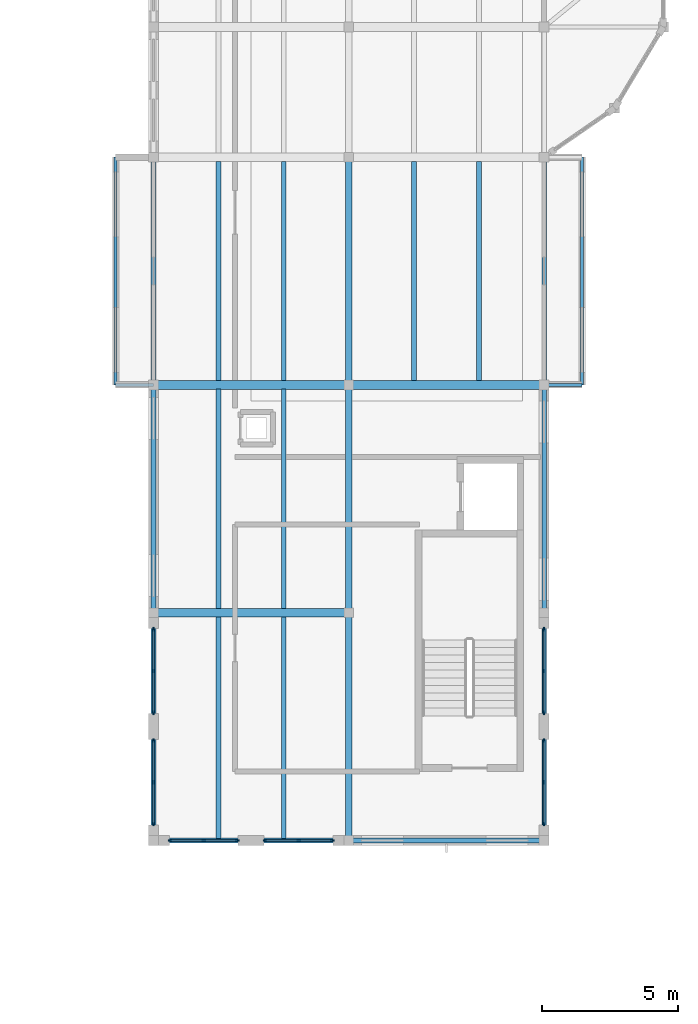
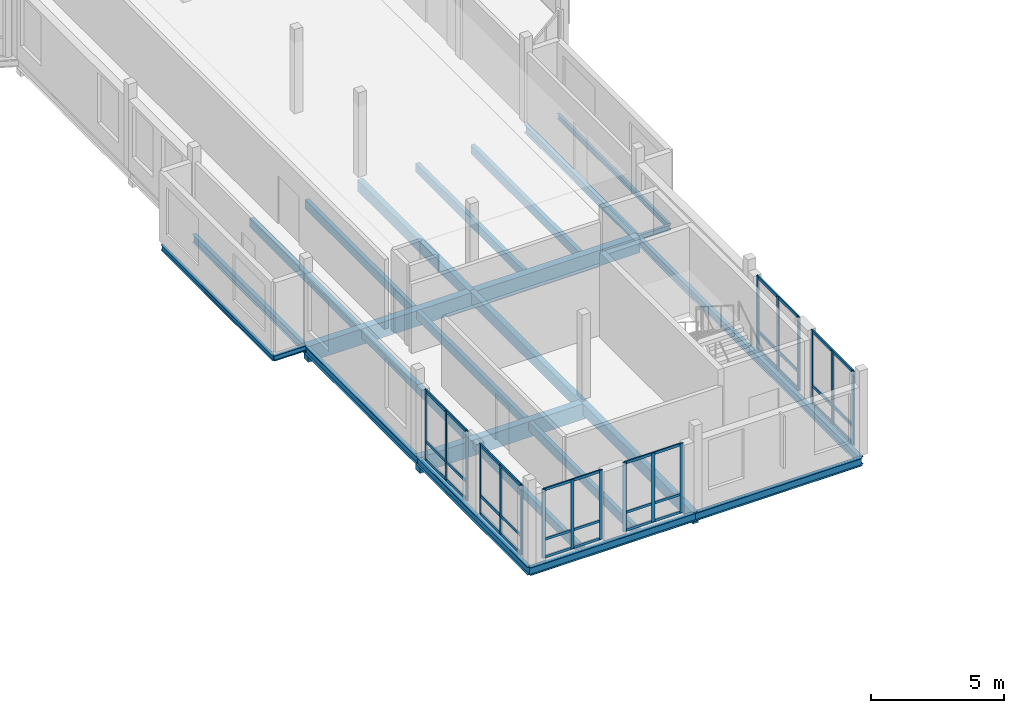
# One storey, part 14 of 57: 36 members, 26 beams, 6 elements without a shape of their own.
"""IFC4 building model written with IfcOpenShell, lengths in metres."""

from ifc_helpers import new_model, si_unit, direction, frame, origin, origin_2d, place, context, subcontext, project, spatial, rectangle, i_section, extrude, material, material_profile, profile_set, type_object, element, aggregate, save


model = new_model("IFC4")

# Units and contexts
model_context = context("Model", 3, precision=1e-05, world=origin(), true_north=direction((0.0, 1.0)))
body_context = subcontext(model_context, "Body", "Model", "MODEL_VIEW")
ifc_project = project(units=[si_unit("LENGTHUNIT", "METRE"), si_unit("AREAUNIT", "SQUARE_METRE"), si_unit("VOLUMEUNIT", "CUBIC_METRE"), si_unit("PLANEANGLEUNIT", "RADIAN"), si_unit("MASSUNIT", "GRAM", prefix="KILO")], contexts=[model_context])

# Site, building, storey
site_placement = place(None, origin())
site = spatial("IfcSite", under=ifc_project, at=site_placement, CompositionType="ELEMENT")
building_placement = place(site_placement, origin())
building = spatial("IfcBuilding", under=site, at=building_placement, Name="Kahlenmark Community Centre", CompositionType="ELEMENT")
storey_placement = place(building_placement, frame((0.0, 0.0, 13.800048828125)))
storey = spatial("IfcBuildingStorey", under=building, at=storey_placement, Name="L03", CompositionType="ELEMENT", Elevation=13.800048828125)

# Beams
ifc_material_1 = material(Name="Glulam GL32h", Category="wood")
ifc_material_profile_1 = material_profile(ifc_material_1, rectangle(XDim=0.239990234375, YDim=0.52001953125, at=origin_2d()), Name="GL32h 240x520")
ifc_profile_set_1 = profile_set([ifc_material_profile_1], Name="Glulam GL32h")
beam_type_1 = type_object("IfcBeamType", Name="BT-BEAM-GL32h240x520", PredefinedType="BEAM", material=ifc_profile_set_1)
beam_1_placement = place(storey_placement, frame((79.60009765625, 50.800048828125, -0.4599609375), z_axis=(0.0, 1.0, 0.0), x_axis=(-1.0, 0.0, 0.0)))
element("IfcBeam", 1, at=beam_1_placement, inside=storey, type_object=beam_type_1, Name="L03 beam BG-GL32h240x520", PredefinedType="BEAM", context=body_context, shape_type="SweptSolid", body=[
    extrude(rectangle(XDim=0.239990234375, YDim=0.52001953125, at=origin_2d()), origin(), (0.0, 0.0, 1.0), 8.39990234375),
])
beam_2_placement = place(storey_placement, frame((79.60009765625, 59.199951171875, -0.4599609375), z_axis=(0.0, 1.0, 0.0), x_axis=(-1.0, 0.0, 0.0)))
element("IfcBeam", 2, at=beam_2_placement, inside=storey, type_object=beam_type_1, Name="L03 beam BG-GL32h240x520", PredefinedType="BEAM", context=body_context, shape_type="SweptSolid", body=[
    extrude(rectangle(XDim=0.239990234375, YDim=0.52001953125, at=origin_2d()), origin(), (0.0, 0.0, 1.0), 8.400146484375),
])
beam_3_placement = place(storey_placement, frame((79.60009765625, 67.60009765625, -0.4599609375), z_axis=(0.0, 1.0, 0.0), x_axis=(-1.0, 0.0, 0.0)))
element("IfcBeam", 3, at=beam_3_placement, inside=storey, type_object=beam_type_1, Name="L03 beam BG-GL32h240x520", PredefinedType="BEAM", context=body_context, shape_type="SweptSolid", body=[
    extrude(rectangle(XDim=0.239990234375, YDim=0.52001953125, at=origin_2d()), origin(), (0.0, 0.0, 1.0), 8.39990234375),
])
ifc_material_profile_2 = material_profile(ifc_material_1, rectangle(XDim=0.320068359375, YDim=0.719970703125, at=origin_2d()), Name="GL32h 320x720")
ifc_profile_set_2 = profile_set([ifc_material_profile_2], Name="Glulam GL32h")
beam_type_2 = type_object("IfcBeamType", Name="BT-BEAM-GL32h320x720", PredefinedType="BEAM", material=ifc_profile_set_2)
for number, where, z_axis, x_axis, name in (
    (4, (72.39990234375, 59.199951171875, -0.56005859375), (1.0, 0.0, 0.0), (0.0, 1.0, 0.0), "L03 beam BG-GL32h320x720"),
    (5, (72.39990234375, 67.60009765625, -0.56005859375), (1.0, 0.0, 0.0), (0.0, 1.0, 0.0), "L03 beam BG-GL32h320x720"),
):
    element("IfcBeam", number, at=place(storey_placement, frame(where, z_axis=z_axis, x_axis=x_axis)), inside=storey, type_object=beam_type_2, Name=name, PredefinedType="BEAM", context=body_context, shape_type="SweptSolid", body=[
        extrude(rectangle(XDim=0.320068359375, YDim=0.719970703125, at=origin_2d()), origin(), (0.0, 0.0, 1.0), 7.2001953125),
    ])
beam_4_placement = place(storey_placement, frame((79.60009765625, 67.60009765625, -0.56005859375), z_axis=(1.0, 0.0, 0.0), x_axis=(0.0, 1.0, 0.0)))
element("IfcBeam", 6, at=beam_4_placement, inside=storey, type_object=beam_type_2, Name="L03 beam BG-GL32h320x720", PredefinedType="BEAM", context=body_context, shape_type="SweptSolid", body=[
    extrude(rectangle(XDim=0.320068359375, YDim=0.719970703125, at=origin_2d()), origin(), (0.0, 0.0, 1.0), 7.199951171875),
])
ifc_material_2 = material(Name="Steel S355", Category="steel")
ifc_material_profile_3 = material_profile(ifc_material_2, i_section(OverallWidth=0.1201171875, OverallDepth=0.239990234375, WebThickness=0.006103515625, FlangeThickness=0.009765625, at=origin_2d()), Name="IPE 240")
ifc_profile_set_3 = profile_set([ifc_material_profile_3], Name="Steel S355")
beam_type_3 = type_object("IfcBeamType", Name="BT-BEAM-IPE240", PredefinedType="BEAM", material=ifc_profile_set_3)
for number, where, z_axis, x_axis, name in (
    (7, (86.800048828125, 67.60009765625, -0.320068359375), (1.0, 0.0, 0.0), (0.0, 1.0, 0.0), "L03 beam BG-IPE240"),
    (8, (71.0, 67.60009765625, -0.320068359375), (1.0, 0.0, 0.0), (0.0, 1.0, 0.0), "L03 beam BG-IPE240"),
):
    element("IfcBeam", number, at=place(storey_placement, frame(where, z_axis=z_axis, x_axis=x_axis)), inside=storey, type_object=beam_type_3, Name=name, PredefinedType="BEAM", context=body_context, shape_type="SweptSolid", body=[
        extrude(i_section(OverallWidth=0.1201171875, OverallDepth=0.239990234375, WebThickness=0.006103515625, FlangeThickness=0.009765625, at=origin_2d()), origin(), (0.0, 0.0, 1.0), 1.39990234375),
    ])
ifc_material_3 = material(Name="Glulam GL28h", Category="wood")
ifc_material_profile_4 = material_profile(ifc_material_3, rectangle(XDim=0.179931640625, YDim=0.39990234375, at=origin_2d()), Name="GL28h 180x400")
ifc_profile_set_4 = profile_set([ifc_material_profile_4], Name="Glulam GL28h")
beam_type_4 = type_object("IfcBeamType", Name="BT-JOIST-GL28h180x400", PredefinedType="JOIST", material=ifc_profile_set_4)
for number, where, z_axis, x_axis, name in (
    (9, (74.800048828125, 50.883056640625, -0.400146484375), (0.0, 1.0, 0.0), (-1.0, 0.0, 0.0), "L03 joist BJ-GL28h180x400"),
    (10, (77.199951171875, 50.883056640625, -0.400146484375), (0.0, 1.0, 0.0), (-1.0, 0.0, 0.0), "L03 joist BJ-GL28h180x400"),
):
    element("IfcBeam", number, at=place(storey_placement, frame(where, z_axis=z_axis, x_axis=x_axis)), inside=storey, type_object=beam_type_4, Name=name, PredefinedType="JOIST", context=body_context, shape_type="SweptSolid", body=[
        extrude(rectangle(XDim=0.179931640625, YDim=0.39990234375, at=origin_2d()), origin(), (0.0, 0.0, 1.0), 8.158935546875),
    ])
for number, where, z_axis, x_axis, name in (
    (11, (74.800048828125, 59.35791015625, -0.400146484375), (0.0, 1.0, 0.0), (-1.0, 0.0, 0.0), "L03 joist BJ-GL28h180x400"),
    (12, (77.199951171875, 59.35791015625, -0.400146484375), (0.0, 1.0, 0.0), (-1.0, 0.0, 0.0), "L03 joist BJ-GL28h180x400"),
    (13, (74.800048828125, 67.758056640625, -0.400146484375), (0.0, 1.0, 0.0), (-1.0, 0.0, 0.0), "L03 joist BJ-GL28h180x400"),
    (14, (77.199951171875, 67.758056640625, -0.400146484375), (0.0, 1.0, 0.0), (-1.0, 0.0, 0.0), "L03 joist BJ-GL28h180x400"),
    (15, (82.0, 67.758056640625, -0.400146484375), (0.0, 1.0, 0.0), (-1.0, 0.0, 0.0), "L03 joist BJ-GL28h180x400"),
    (16, (84.39990234375, 67.758056640625, -0.400146484375), (0.0, 1.0, 0.0), (-1.0, 0.0, 0.0), "L03 joist BJ-GL28h180x400"),
):
    element("IfcBeam", number, at=place(storey_placement, frame(where, z_axis=z_axis, x_axis=x_axis)), inside=storey, type_object=beam_type_4, Name=name, PredefinedType="JOIST", context=body_context, shape_type="SweptSolid", body=[
        extrude(rectangle(XDim=0.179931640625, YDim=0.39990234375, at=origin_2d()), origin(), (0.0, 0.0, 1.0), 8.083984375),
    ])
ifc_material_profile_5 = material_profile(ifc_material_2, i_section(OverallWidth=0.1201171875, OverallDepth=0.239990234375, WebThickness=0.006103515625, FlangeThickness=0.009765625, at=origin_2d()), Name="IPE 240")
ifc_profile_set_5 = profile_set([ifc_material_profile_5], Name="Steel S355")
beam_type_5 = type_object("IfcBeamType", Name="BT-SPANDREL-IPE240", PredefinedType="SPANDREL", material=ifc_profile_set_5)
for number, where, z_axis, x_axis, name in (
    (17, (88.199951171875, 67.60009765625, -0.320068359375), (0.0, 1.0, 0.0), (-1.0, 0.0, 0.0), "L03 spandrel SP-IPE240"),
    (18, (71.0, 67.60009765625, -0.320068359375), (0.0, 1.0, 0.0), (-1.0, 0.0, 0.0), "L03 spandrel SP-IPE240"),
):
    element("IfcBeam", number, at=place(storey_placement, frame(where, z_axis=z_axis, x_axis=x_axis)), inside=storey, type_object=beam_type_5, Name=name, PredefinedType="SPANDREL", context=body_context, shape_type="SweptSolid", body=[
        extrude(i_section(OverallWidth=0.1201171875, OverallDepth=0.239990234375, WebThickness=0.006103515625, FlangeThickness=0.009765625, at=origin_2d()), origin(), (0.0, 0.0, 1.0), 8.39990234375),
    ])
ifc_material_profile_6 = material_profile(ifc_material_2, i_section(OverallWidth=0.169921875, OverallDepth=0.360107421875, WebThickness=0.008056640625, FlangeThickness=0.0126953125, at=origin_2d()), Name="IPE 360")
ifc_profile_set_6 = profile_set([ifc_material_profile_6], Name="Steel S355")
beam_type_6 = type_object("IfcBeamType", Name="BT-SPANDREL-IPE360", PredefinedType="SPANDREL", material=ifc_profile_set_6)
beam_5_placement = place(storey_placement, frame((72.39990234375, 50.800048828125, -0.380126953125), z_axis=(1.0, 0.0, 0.0), x_axis=(0.0, 1.0, 0.0)))
element("IfcBeam", 19, at=beam_5_placement, inside=storey, type_object=beam_type_6, Name="L03 spandrel SP-IPE360", PredefinedType="SPANDREL", context=body_context, shape_type="SweptSolid", body=[
    extrude(i_section(OverallWidth=0.169921875, OverallDepth=0.360107421875, WebThickness=0.008056640625, FlangeThickness=0.0126953125, at=origin_2d()), origin(), (0.0, 0.0, 1.0), 7.2001953125),
])
beam_6_placement = place(storey_placement, frame((79.60009765625, 50.800048828125, -0.380126953125), z_axis=(1.0, 0.0, 0.0), x_axis=(0.0, 1.0, 0.0)))
element("IfcBeam", 20, at=beam_6_placement, inside=storey, type_object=beam_type_6, Name="L03 spandrel SP-IPE360", PredefinedType="SPANDREL", context=body_context, shape_type="SweptSolid", body=[
    extrude(i_section(OverallWidth=0.169921875, OverallDepth=0.360107421875, WebThickness=0.008056640625, FlangeThickness=0.0126953125, at=origin_2d()), origin(), (0.0, 0.0, 1.0), 7.199951171875),
])
beam_7_placement = place(storey_placement, frame((72.39990234375, 50.800048828125, -0.380126953125), z_axis=(0.0, 1.0, 0.0), x_axis=(-1.0, 0.0, 0.0)))
element("IfcBeam", 21, at=beam_7_placement, inside=storey, type_object=beam_type_6, Name="L03 spandrel SP-IPE360", PredefinedType="SPANDREL", context=body_context, shape_type="SweptSolid", body=[
    extrude(i_section(OverallWidth=0.169921875, OverallDepth=0.360107421875, WebThickness=0.008056640625, FlangeThickness=0.0126953125, at=origin_2d()), origin(), (0.0, 0.0, 1.0), 8.39990234375),
])
beam_8_placement = place(storey_placement, frame((72.39990234375, 59.199951171875, -0.380126953125), z_axis=(0.0, 1.0, 0.0), x_axis=(-1.0, 0.0, 0.0)))
element("IfcBeam", 22, at=beam_8_placement, inside=storey, type_object=beam_type_6, Name="L03 spandrel SP-IPE360", PredefinedType="SPANDREL", context=body_context, shape_type="SweptSolid", body=[
    extrude(i_section(OverallWidth=0.169921875, OverallDepth=0.360107421875, WebThickness=0.008056640625, FlangeThickness=0.0126953125, at=origin_2d()), origin(), (0.0, 0.0, 1.0), 8.400146484375),
])
for number, where, z_axis, x_axis, name in (
    (23, (72.39990234375, 67.60009765625, -0.380126953125), (0.0, 1.0, 0.0), (-1.0, 0.0, 0.0), "L03 spandrel SP-IPE360"),
    (24, (86.800048828125, 50.800048828125, -0.380126953125), (0.0, 1.0, 0.0), (-1.0, 0.0, 0.0), "L03 spandrel SP-IPE360"),
):
    element("IfcBeam", number, at=place(storey_placement, frame(where, z_axis=z_axis, x_axis=x_axis)), inside=storey, type_object=beam_type_6, Name=name, PredefinedType="SPANDREL", context=body_context, shape_type="SweptSolid", body=[
        extrude(i_section(OverallWidth=0.169921875, OverallDepth=0.360107421875, WebThickness=0.008056640625, FlangeThickness=0.0126953125, at=origin_2d()), origin(), (0.0, 0.0, 1.0), 8.39990234375),
    ])
beam_9_placement = place(storey_placement, frame((86.800048828125, 59.199951171875, -0.380126953125), z_axis=(0.0, 1.0, 0.0), x_axis=(-1.0, 0.0, 0.0)))
element("IfcBeam", 25, at=beam_9_placement, inside=storey, type_object=beam_type_6, Name="L03 spandrel SP-IPE360", PredefinedType="SPANDREL", context=body_context, shape_type="SweptSolid", body=[
    extrude(i_section(OverallWidth=0.169921875, OverallDepth=0.360107421875, WebThickness=0.008056640625, FlangeThickness=0.0126953125, at=origin_2d()), origin(), (0.0, 0.0, 1.0), 8.400146484375),
])
beam_10_placement = place(storey_placement, frame((86.800048828125, 67.60009765625, -0.380126953125), z_axis=(0.0, 1.0, 0.0), x_axis=(-1.0, 0.0, 0.0)))
element("IfcBeam", 26, at=beam_10_placement, inside=storey, type_object=beam_type_6, Name="L03 spandrel SP-IPE360", PredefinedType="SPANDREL", context=body_context, shape_type="SweptSolid", body=[
    extrude(i_section(OverallWidth=0.169921875, OverallDepth=0.360107421875, WebThickness=0.008056640625, FlangeThickness=0.0126953125, at=origin_2d()), origin(), (0.0, 0.0, 1.0), 8.39990234375),
])

# Curtain wall, members
ifc_material_4 = material(Name="Anodised aluminium unitised curtain wall", Category="aluminium")
curtain_wall_type_1 = type_object("IfcCurtainWallType", Name="CWT-UNIT-254X317", PredefinedType="USERDEFINED", material=ifc_material_4)
curtain_wall_1_placement = place(storey_placement, origin())
curtain_wall_1 = element("IfcCurtainWall", 27, at=curtain_wall_1_placement, inside=storey, type_object=curtain_wall_type_1, Name="Unitised curtain wall CW-123", ObjectType="UNITISED CURTAIN WALL", PredefinedType="USERDEFINED")
ifc_material_5 = material(Name="Anodised aluminium 6063-T6", Category="aluminium")
ifc_material_profile_7 = material_profile(ifc_material_5, rectangle(XDim=0.06005859375, YDim=0.139892578125, at=origin_2d()), Name="ALU MULLION 60x140")
ifc_profile_set_7 = profile_set([ifc_material_profile_7], Name="Anodised aluminium 6063-T6")
member_type_1 = type_object("IfcMemberType", Name="MT-MUL-140", PredefinedType="MULLION", material=ifc_profile_set_7)
member_1_placement = place(storey_placement, frame((73.010009765625, 50.800048828125, 0.0), z_axis=(0.0, 0.0, 1.0), x_axis=(0.0, 1.0, 0.0)))
member_1 = element("IfcMember", 28, at=member_1_placement, type_object=member_type_1, Name="CW-123 mullion 1", PredefinedType="MULLION", context=body_context, shape_type="SweptSolid", body=[
    extrude(rectangle(XDim=0.06005859375, YDim=0.139892578125, at=origin_2d()), origin(), (0.0, 0.0, 1.0), 3.169921875),
])
member_2_placement = place(storey_placement, frame((74.25, 50.800048828125, 0.0), z_axis=(0.0, 0.0, 1.0), x_axis=(0.0, 1.0, 0.0)))
member_2 = element("IfcMember", 29, at=member_2_placement, type_object=member_type_1, Name="CW-123 mullion 2", PredefinedType="MULLION", context=body_context, shape_type="SweptSolid", body=[
    extrude(rectangle(XDim=0.06005859375, YDim=0.139892578125, at=origin_2d()), origin(), (0.0, 0.0, 1.0), 3.169921875),
])
member_3_placement = place(storey_placement, frame((75.489990234375, 50.800048828125, 0.0), z_axis=(0.0, 0.0, 1.0), x_axis=(0.0, 1.0, 0.0)))
member_3 = element("IfcMember", 30, at=member_3_placement, type_object=member_type_1, Name="CW-123 mullion 3", PredefinedType="MULLION", context=body_context, shape_type="SweptSolid", body=[
    extrude(rectangle(XDim=0.06005859375, YDim=0.139892578125, at=origin_2d()), origin(), (0.0, 0.0, 1.0), 3.169921875),
])

curtain_wall_2_placement = place(storey_placement, origin())
curtain_wall_2 = element("IfcCurtainWall", 31, at=curtain_wall_2_placement, inside=storey, type_object=curtain_wall_type_1, Name="Unitised curtain wall CW-124", ObjectType="UNITISED CURTAIN WALL", PredefinedType="USERDEFINED")
member_4_placement = place(storey_placement, frame((76.510009765625, 50.800048828125, 0.0), z_axis=(0.0, 0.0, 1.0), x_axis=(0.0, 1.0, 0.0)))
member_4 = element("IfcMember", 32, at=member_4_placement, type_object=member_type_1, Name="CW-124 mullion 1", PredefinedType="MULLION", context=body_context, shape_type="SweptSolid", body=[
    extrude(rectangle(XDim=0.06005859375, YDim=0.139892578125, at=origin_2d()), origin(), (0.0, 0.0, 1.0), 3.169921875),
])
member_5_placement = place(storey_placement, frame((77.75, 50.800048828125, 0.0), z_axis=(0.0, 0.0, 1.0), x_axis=(0.0, 1.0, 0.0)))
member_5 = element("IfcMember", 33, at=member_5_placement, type_object=member_type_1, Name="CW-124 mullion 2", PredefinedType="MULLION", context=body_context, shape_type="SweptSolid", body=[
    extrude(rectangle(XDim=0.06005859375, YDim=0.139892578125, at=origin_2d()), origin(), (0.0, 0.0, 1.0), 3.169921875),
])
member_6_placement = place(storey_placement, frame((78.989990234375, 50.800048828125, 0.0), z_axis=(0.0, 0.0, 1.0), x_axis=(0.0, 1.0, 0.0)))
member_6 = element("IfcMember", 34, at=member_6_placement, type_object=member_type_1, Name="CW-124 mullion 3", PredefinedType="MULLION", context=body_context, shape_type="SweptSolid", body=[
    extrude(rectangle(XDim=0.06005859375, YDim=0.139892578125, at=origin_2d()), origin(), (0.0, 0.0, 1.0), 3.169921875),
])

curtain_wall_type_2 = type_object("IfcCurtainWallType", Name="CWT-UNIT-314X320", PredefinedType="USERDEFINED", material=ifc_material_4)
curtain_wall_3_placement = place(storey_placement, origin())
curtain_wall_3 = element("IfcCurtainWall", 35, at=curtain_wall_3_placement, inside=storey, type_object=curtain_wall_type_2, Name="Unitised curtain wall CW-125", ObjectType="UNITISED CURTAIN WALL", PredefinedType="USERDEFINED")
member_7_placement = place(storey_placement, frame((72.39990234375, 58.590087890625, 0.0), z_axis=(0.0, 0.0, 1.0), x_axis=(1.0, 0.0, 0.0)))
member_7 = element("IfcMember", 36, at=member_7_placement, type_object=member_type_1, Name="CW-125 mullion 1", PredefinedType="MULLION", context=body_context, shape_type="SweptSolid", body=[
    extrude(rectangle(XDim=0.06005859375, YDim=0.139892578125, at=origin_2d()), origin(), (0.0, 0.0, 1.0), 3.199951171875),
])
member_8_placement = place(storey_placement, frame((72.39990234375, 57.050048828125, 0.0), z_axis=(0.0, 0.0, 1.0), x_axis=(1.0, 0.0, 0.0)))
member_8 = element("IfcMember", 37, at=member_8_placement, type_object=member_type_1, Name="CW-125 mullion 2", PredefinedType="MULLION", context=body_context, shape_type="SweptSolid", body=[
    extrude(rectangle(XDim=0.06005859375, YDim=0.139892578125, at=origin_2d()), origin(), (0.0, 0.0, 1.0), 3.199951171875),
])
member_9_placement = place(storey_placement, frame((72.39990234375, 55.510009765625, 0.0), z_axis=(0.0, 0.0, 1.0), x_axis=(1.0, 0.0, 0.0)))
member_9 = element("IfcMember", 38, at=member_9_placement, type_object=member_type_1, Name="CW-125 mullion 3", PredefinedType="MULLION", context=body_context, shape_type="SweptSolid", body=[
    extrude(rectangle(XDim=0.06005859375, YDim=0.139892578125, at=origin_2d()), origin(), (0.0, 0.0, 1.0), 3.199951171875),
])

curtain_wall_4_placement = place(storey_placement, origin())
curtain_wall_4 = element("IfcCurtainWall", 39, at=curtain_wall_4_placement, inside=storey, type_object=curtain_wall_type_2, Name="Unitised curtain wall CW-126", ObjectType="UNITISED CURTAIN WALL", PredefinedType="USERDEFINED")
member_10_placement = place(storey_placement, frame((72.39990234375, 54.489990234375, 0.0), z_axis=(0.0, 0.0, 1.0), x_axis=(1.0, 0.0, 0.0)))
member_10 = element("IfcMember", 40, at=member_10_placement, type_object=member_type_1, Name="CW-126 mullion 1", PredefinedType="MULLION", context=body_context, shape_type="SweptSolid", body=[
    extrude(rectangle(XDim=0.06005859375, YDim=0.139892578125, at=origin_2d()), origin(), (0.0, 0.0, 1.0), 3.199951171875),
])
member_11_placement = place(storey_placement, frame((72.39990234375, 52.949951171875, 0.0), z_axis=(0.0, 0.0, 1.0), x_axis=(1.0, 0.0, 0.0)))
member_11 = element("IfcMember", 41, at=member_11_placement, type_object=member_type_1, Name="CW-126 mullion 2", PredefinedType="MULLION", context=body_context, shape_type="SweptSolid", body=[
    extrude(rectangle(XDim=0.06005859375, YDim=0.139892578125, at=origin_2d()), origin(), (0.0, 0.0, 1.0), 3.199951171875),
])
member_12_placement = place(storey_placement, frame((72.39990234375, 51.409912109375, 0.0), z_axis=(0.0, 0.0, 1.0), x_axis=(1.0, 0.0, 0.0)))
member_12 = element("IfcMember", 42, at=member_12_placement, type_object=member_type_1, Name="CW-126 mullion 3", PredefinedType="MULLION", context=body_context, shape_type="SweptSolid", body=[
    extrude(rectangle(XDim=0.06005859375, YDim=0.139892578125, at=origin_2d()), origin(), (0.0, 0.0, 1.0), 3.199951171875),
])

curtain_wall_type_3 = type_object("IfcCurtainWallType", Name="CWT-UNIT-314X339", PredefinedType="USERDEFINED", material=ifc_material_4)
curtain_wall_5_placement = place(storey_placement, origin())
curtain_wall_5 = element("IfcCurtainWall", 43, at=curtain_wall_5_placement, inside=storey, type_object=curtain_wall_type_3, Name="Unitised curtain wall CW-127", ObjectType="UNITISED CURTAIN WALL", PredefinedType="USERDEFINED")
member_13_placement = place(storey_placement, frame((86.800048828125, 51.409912109375, 0.0), z_axis=(0.0, 0.0, 1.0), x_axis=(-1.0, 0.0, 0.0)))
member_13 = element("IfcMember", 44, at=member_13_placement, type_object=member_type_1, Name="CW-127 mullion 1", PredefinedType="MULLION", context=body_context, shape_type="SweptSolid", body=[
    extrude(rectangle(XDim=0.06005859375, YDim=0.139892578125, at=origin_2d()), origin(), (0.0, 0.0, 1.0), 3.389892578125),
])
member_14_placement = place(storey_placement, frame((86.800048828125, 52.949951171875, 0.0), z_axis=(0.0, 0.0, 1.0), x_axis=(-1.0, 0.0, 0.0)))
member_14 = element("IfcMember", 45, at=member_14_placement, type_object=member_type_1, Name="CW-127 mullion 2", PredefinedType="MULLION", context=body_context, shape_type="SweptSolid", body=[
    extrude(rectangle(XDim=0.06005859375, YDim=0.139892578125, at=origin_2d()), origin(), (0.0, 0.0, 1.0), 3.389892578125),
])
member_15_placement = place(storey_placement, frame((86.800048828125, 54.489990234375, 0.0), z_axis=(0.0, 0.0, 1.0), x_axis=(-1.0, 0.0, 0.0)))
member_15 = element("IfcMember", 46, at=member_15_placement, type_object=member_type_1, Name="CW-127 mullion 3", PredefinedType="MULLION", context=body_context, shape_type="SweptSolid", body=[
    extrude(rectangle(XDim=0.06005859375, YDim=0.139892578125, at=origin_2d()), origin(), (0.0, 0.0, 1.0), 3.389892578125),
])

curtain_wall_6_placement = place(storey_placement, origin())
curtain_wall_6 = element("IfcCurtainWall", 47, at=curtain_wall_6_placement, inside=storey, type_object=curtain_wall_type_3, Name="Unitised curtain wall CW-128", ObjectType="UNITISED CURTAIN WALL", PredefinedType="USERDEFINED")
member_16_placement = place(storey_placement, frame((86.800048828125, 55.510009765625, 0.0), z_axis=(0.0, 0.0, 1.0), x_axis=(-1.0, 0.0, 0.0)))
member_16 = element("IfcMember", 48, at=member_16_placement, type_object=member_type_1, Name="CW-128 mullion 1", PredefinedType="MULLION", context=body_context, shape_type="SweptSolid", body=[
    extrude(rectangle(XDim=0.06005859375, YDim=0.139892578125, at=origin_2d()), origin(), (0.0, 0.0, 1.0), 3.389892578125),
])
member_17_placement = place(storey_placement, frame((86.800048828125, 57.050048828125, 0.0), z_axis=(0.0, 0.0, 1.0), x_axis=(-1.0, 0.0, 0.0)))
member_17 = element("IfcMember", 49, at=member_17_placement, type_object=member_type_1, Name="CW-128 mullion 2", PredefinedType="MULLION", context=body_context, shape_type="SweptSolid", body=[
    extrude(rectangle(XDim=0.06005859375, YDim=0.139892578125, at=origin_2d()), origin(), (0.0, 0.0, 1.0), 3.389892578125),
])
member_18_placement = place(storey_placement, frame((86.800048828125, 58.590087890625, 0.0), z_axis=(0.0, 0.0, 1.0), x_axis=(-1.0, 0.0, 0.0)))
member_18 = element("IfcMember", 50, at=member_18_placement, type_object=member_type_1, Name="CW-128 mullion 3", PredefinedType="MULLION", context=body_context, shape_type="SweptSolid", body=[
    extrude(rectangle(XDim=0.06005859375, YDim=0.139892578125, at=origin_2d()), origin(), (0.0, 0.0, 1.0), 3.389892578125),
])

# Member
ifc_material_profile_8 = material_profile(ifc_material_5, rectangle(XDim=0.06005859375, YDim=0.1201171875, at=origin_2d()), Name="ALU TRANSOM 60x120")
ifc_profile_set_8 = profile_set([ifc_material_profile_8], Name="Anodised aluminium 6063-T6")
member_type_2 = type_object("IfcMemberType", Name="MT-TRN-120", PredefinedType="USERDEFINED", material=ifc_profile_set_8)
member_19_placement = place(storey_placement, frame((73.010009765625, 50.800048828125, 0.0400390625), z_axis=(1.0, 0.0, 0.0), x_axis=(0.0, 1.0, 0.0)))
member_19 = element("IfcMember", 51, at=member_19_placement, type_object=member_type_2, Name="CW-123 transom 1", ObjectType="TRANSOM", PredefinedType="USERDEFINED", context=body_context, shape_type="SweptSolid", body=[
    extrude(rectangle(XDim=0.06005859375, YDim=0.1201171875, at=origin_2d()), origin(), (0.0, 0.0, 1.0), 2.47998046875),
])

member_20_placement = place(storey_placement, frame((73.010009765625, 50.800048828125, 0.849853515625), z_axis=(1.0, 0.0, 0.0), x_axis=(0.0, 1.0, 0.0)))
member_20 = element("IfcMember", 52, at=member_20_placement, type_object=member_type_2, Name="CW-123 transom 2", ObjectType="TRANSOM", PredefinedType="USERDEFINED", context=body_context, shape_type="SweptSolid", body=[
    extrude(rectangle(XDim=0.06005859375, YDim=0.1201171875, at=origin_2d()), origin(), (0.0, 0.0, 1.0), 2.47998046875),
])

member_21_placement = place(storey_placement, frame((73.010009765625, 50.800048828125, 3.1298828125), z_axis=(1.0, 0.0, 0.0), x_axis=(0.0, 1.0, 0.0)))
member_21 = element("IfcMember", 53, at=member_21_placement, type_object=member_type_2, Name="CW-123 transom 3", ObjectType="TRANSOM", PredefinedType="USERDEFINED", context=body_context, shape_type="SweptSolid", body=[
    extrude(rectangle(XDim=0.06005859375, YDim=0.1201171875, at=origin_2d()), origin(), (0.0, 0.0, 1.0), 2.47998046875),
])

aggregate(curtain_wall_1, [member_1, member_2, member_3, member_19, member_20, member_21])

member_22_placement = place(storey_placement, frame((76.510009765625, 50.800048828125, 0.0400390625), z_axis=(1.0, 0.0, 0.0), x_axis=(0.0, 1.0, 0.0)))
member_22 = element("IfcMember", 54, at=member_22_placement, type_object=member_type_2, Name="CW-124 transom 1", ObjectType="TRANSOM", PredefinedType="USERDEFINED", context=body_context, shape_type="SweptSolid", body=[
    extrude(rectangle(XDim=0.06005859375, YDim=0.1201171875, at=origin_2d()), origin(), (0.0, 0.0, 1.0), 2.47998046875),
])

member_23_placement = place(storey_placement, frame((76.510009765625, 50.800048828125, 0.849853515625), z_axis=(1.0, 0.0, 0.0), x_axis=(0.0, 1.0, 0.0)))
member_23 = element("IfcMember", 55, at=member_23_placement, type_object=member_type_2, Name="CW-124 transom 2", ObjectType="TRANSOM", PredefinedType="USERDEFINED", context=body_context, shape_type="SweptSolid", body=[
    extrude(rectangle(XDim=0.06005859375, YDim=0.1201171875, at=origin_2d()), origin(), (0.0, 0.0, 1.0), 2.47998046875),
])

member_24_placement = place(storey_placement, frame((76.510009765625, 50.800048828125, 3.1298828125), z_axis=(1.0, 0.0, 0.0), x_axis=(0.0, 1.0, 0.0)))
member_24 = element("IfcMember", 56, at=member_24_placement, type_object=member_type_2, Name="CW-124 transom 3", ObjectType="TRANSOM", PredefinedType="USERDEFINED", context=body_context, shape_type="SweptSolid", body=[
    extrude(rectangle(XDim=0.06005859375, YDim=0.1201171875, at=origin_2d()), origin(), (0.0, 0.0, 1.0), 2.47998046875),
])

aggregate(curtain_wall_2, [member_4, member_5, member_6, member_22, member_23, member_24])

ifc_material_profile_9 = material_profile(ifc_material_5, rectangle(XDim=0.06005859375, YDim=0.139892578125, at=origin_2d()), Name="ALU TRANSOM 60x140")
ifc_profile_set_9 = profile_set([ifc_material_profile_9], Name="Anodised aluminium 6063-T6")
member_type_3 = type_object("IfcMemberType", Name="MT-TRN-140", PredefinedType="USERDEFINED", material=ifc_profile_set_9)
member_25_placement = place(storey_placement, frame((72.39990234375, 58.590087890625, 0.0400390625), z_axis=(0.0, -1.0, 0.0), x_axis=(1.0, 0.0, 0.0)))
member_25 = element("IfcMember", 57, at=member_25_placement, type_object=member_type_3, Name="CW-125 transom 1", ObjectType="TRANSOM", PredefinedType="USERDEFINED", context=body_context, shape_type="SweptSolid", body=[
    extrude(rectangle(XDim=0.06005859375, YDim=0.139892578125, at=origin_2d()), origin(), (0.0, 0.0, 1.0), 3.080078125),
])

member_26_placement = place(storey_placement, frame((72.39990234375, 58.590087890625, 0.849853515625), z_axis=(0.0, -1.0, 0.0), x_axis=(1.0, 0.0, 0.0)))
member_26 = element("IfcMember", 58, at=member_26_placement, type_object=member_type_3, Name="CW-125 transom 2", ObjectType="TRANSOM", PredefinedType="USERDEFINED", context=body_context, shape_type="SweptSolid", body=[
    extrude(rectangle(XDim=0.06005859375, YDim=0.139892578125, at=origin_2d()), origin(), (0.0, 0.0, 1.0), 3.080078125),
])

member_27_placement = place(storey_placement, frame((72.39990234375, 58.590087890625, 3.159912109375), z_axis=(0.0, -1.0, 0.0), x_axis=(1.0, 0.0, 0.0)))
member_27 = element("IfcMember", 59, at=member_27_placement, type_object=member_type_3, Name="CW-125 transom 3", ObjectType="TRANSOM", PredefinedType="USERDEFINED", context=body_context, shape_type="SweptSolid", body=[
    extrude(rectangle(XDim=0.06005859375, YDim=0.139892578125, at=origin_2d()), origin(), (0.0, 0.0, 1.0), 3.080078125),
])

aggregate(curtain_wall_3, [member_7, member_8, member_9, member_25, member_26, member_27])

member_28_placement = place(storey_placement, frame((72.39990234375, 54.489990234375, 0.0400390625), z_axis=(0.0, -1.0, 0.0), x_axis=(1.0, 0.0, 0.0)))
member_28 = element("IfcMember", 60, at=member_28_placement, type_object=member_type_3, Name="CW-126 transom 1", ObjectType="TRANSOM", PredefinedType="USERDEFINED", context=body_context, shape_type="SweptSolid", body=[
    extrude(rectangle(XDim=0.06005859375, YDim=0.139892578125, at=origin_2d()), origin(), (0.0, 0.0, 1.0), 3.080078125),
])

member_29_placement = place(storey_placement, frame((72.39990234375, 54.489990234375, 0.849853515625), z_axis=(0.0, -1.0, 0.0), x_axis=(1.0, 0.0, 0.0)))
member_29 = element("IfcMember", 61, at=member_29_placement, type_object=member_type_3, Name="CW-126 transom 2", ObjectType="TRANSOM", PredefinedType="USERDEFINED", context=body_context, shape_type="SweptSolid", body=[
    extrude(rectangle(XDim=0.06005859375, YDim=0.139892578125, at=origin_2d()), origin(), (0.0, 0.0, 1.0), 3.080078125),
])

member_30_placement = place(storey_placement, frame((72.39990234375, 54.489990234375, 3.159912109375), z_axis=(0.0, -1.0, 0.0), x_axis=(1.0, 0.0, 0.0)))
member_30 = element("IfcMember", 62, at=member_30_placement, type_object=member_type_3, Name="CW-126 transom 3", ObjectType="TRANSOM", PredefinedType="USERDEFINED", context=body_context, shape_type="SweptSolid", body=[
    extrude(rectangle(XDim=0.06005859375, YDim=0.139892578125, at=origin_2d()), origin(), (0.0, 0.0, 1.0), 3.080078125),
])

aggregate(curtain_wall_4, [member_10, member_11, member_12, member_28, member_29, member_30])

member_31_placement = place(storey_placement, frame((86.800048828125, 51.409912109375, 0.0400390625), z_axis=(0.0, 1.0, 0.0), x_axis=(-1.0, 0.0, 0.0)))
member_31 = element("IfcMember", 63, at=member_31_placement, type_object=member_type_3, Name="CW-127 transom 1", ObjectType="TRANSOM", PredefinedType="USERDEFINED", context=body_context, shape_type="SweptSolid", body=[
    extrude(rectangle(XDim=0.06005859375, YDim=0.139892578125, at=origin_2d()), origin(), (0.0, 0.0, 1.0), 3.080078125),
])

member_32_placement = place(storey_placement, frame((86.800048828125, 51.409912109375, 0.849853515625), z_axis=(0.0, 1.0, 0.0), x_axis=(-1.0, 0.0, 0.0)))
member_32 = element("IfcMember", 64, at=member_32_placement, type_object=member_type_3, Name="CW-127 transom 2", ObjectType="TRANSOM", PredefinedType="USERDEFINED", context=body_context, shape_type="SweptSolid", body=[
    extrude(rectangle(XDim=0.06005859375, YDim=0.139892578125, at=origin_2d()), origin(), (0.0, 0.0, 1.0), 3.080078125),
])

member_33_placement = place(storey_placement, frame((86.800048828125, 51.409912109375, 3.349853515625), z_axis=(0.0, 1.0, 0.0), x_axis=(-1.0, 0.0, 0.0)))
member_33 = element("IfcMember", 65, at=member_33_placement, type_object=member_type_3, Name="CW-127 transom 3", ObjectType="TRANSOM", PredefinedType="USERDEFINED", context=body_context, shape_type="SweptSolid", body=[
    extrude(rectangle(XDim=0.06005859375, YDim=0.139892578125, at=origin_2d()), origin(), (0.0, 0.0, 1.0), 3.080078125),
])

aggregate(curtain_wall_5, [member_13, member_14, member_15, member_31, member_32, member_33])

member_34_placement = place(storey_placement, frame((86.800048828125, 55.510009765625, 0.0400390625), z_axis=(0.0, 1.0, 0.0), x_axis=(-1.0, 0.0, 0.0)))
member_34 = element("IfcMember", 66, at=member_34_placement, type_object=member_type_3, Name="CW-128 transom 1", ObjectType="TRANSOM", PredefinedType="USERDEFINED", context=body_context, shape_type="SweptSolid", body=[
    extrude(rectangle(XDim=0.06005859375, YDim=0.139892578125, at=origin_2d()), origin(), (0.0, 0.0, 1.0), 3.080078125),
])

member_35_placement = place(storey_placement, frame((86.800048828125, 55.510009765625, 0.849853515625), z_axis=(0.0, 1.0, 0.0), x_axis=(-1.0, 0.0, 0.0)))
member_35 = element("IfcMember", 67, at=member_35_placement, type_object=member_type_3, Name="CW-128 transom 2", ObjectType="TRANSOM", PredefinedType="USERDEFINED", context=body_context, shape_type="SweptSolid", body=[
    extrude(rectangle(XDim=0.06005859375, YDim=0.139892578125, at=origin_2d()), origin(), (0.0, 0.0, 1.0), 3.080078125),
])

member_36_placement = place(storey_placement, frame((86.800048828125, 55.510009765625, 3.349853515625), z_axis=(0.0, 1.0, 0.0), x_axis=(-1.0, 0.0, 0.0)))
member_36 = element("IfcMember", 68, at=member_36_placement, type_object=member_type_3, Name="CW-128 transom 3", ObjectType="TRANSOM", PredefinedType="USERDEFINED", context=body_context, shape_type="SweptSolid", body=[
    extrude(rectangle(XDim=0.06005859375, YDim=0.139892578125, at=origin_2d()), origin(), (0.0, 0.0, 1.0), 3.080078125),
])

aggregate(curtain_wall_6, [member_16, member_17, member_18, member_34, member_35, member_36])

save(model, "model.ifc")
